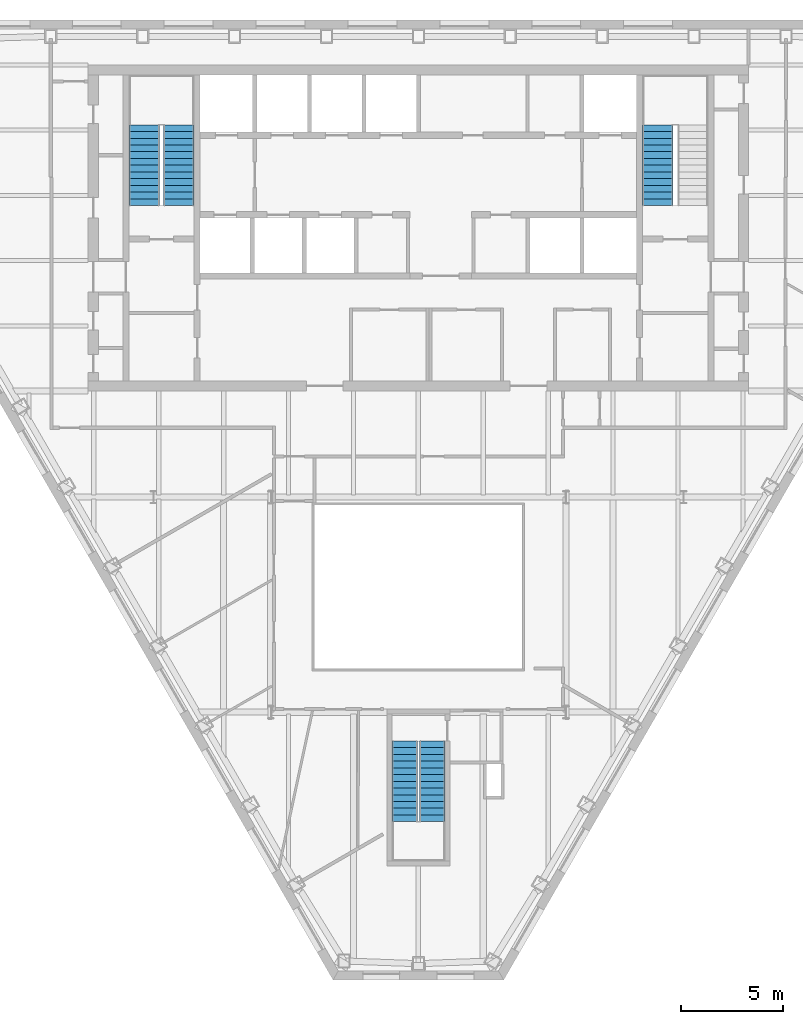
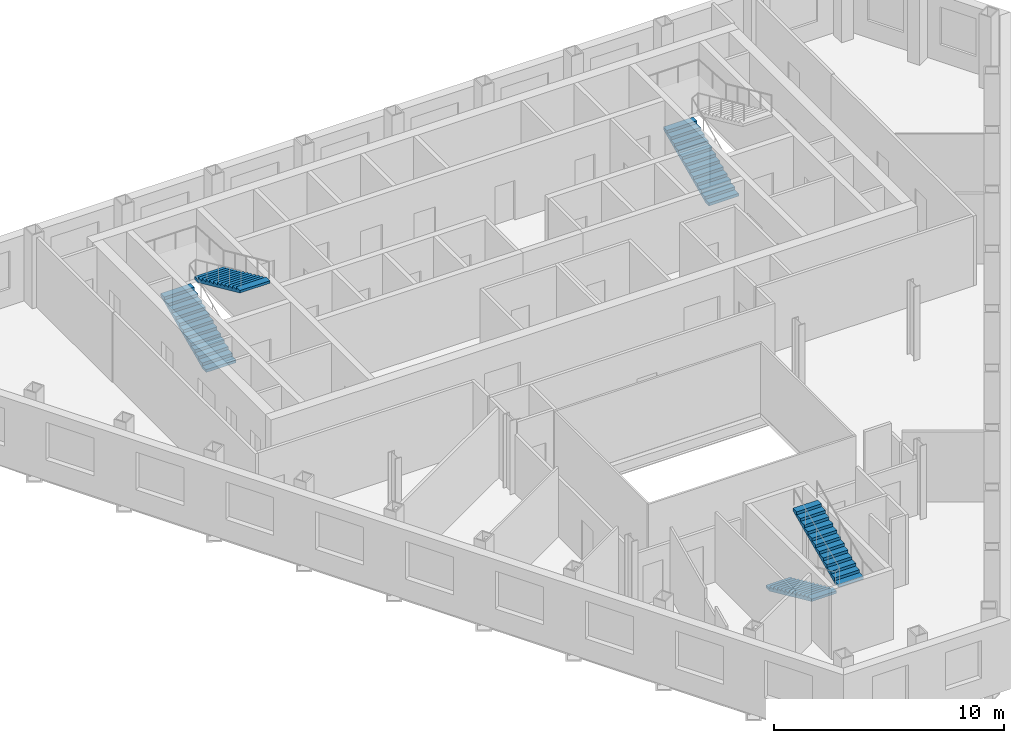
# One storey, part 9 of 11: 5 stair flights, 3 elements without a shape of their own.
"""IFC4 building model written with IfcOpenShell, lengths in metres."""

import ifcopenshell
import ifcopenshell.guid

model = None  # the IFC model being written
_history = None  # IfcOwnerHistory: only IFC2X3 demands one
_inside = {}  # id of a spatial element -> (the spatial element, [elements in it])
_under = {}  # id of a project, library or spatial element -> (it, [spatial elements below it])
_declared = {}  # id of a project -> (the project, [libraries it declares])
_typed = {}  # id of a type object -> (the type object, [elements of that type])
_made_of = {}  # id of a material, layer set ... -> (it, [elements and type objects made of it])


def new_model(schema):
    """Start an empty IFC model of exactly this schema.

    Asked for "IFC4X3", IfcOpenShell would pick the latest addendum, in which some entities
    have other attributes; the version numbers below select the first issue.
    IFC2X3 requires an IfcOwnerHistory on every rooted entity: one is made here for all.
    """
    global model, _history
    if schema == "IFC4X3":
        model = ifcopenshell.file(schema_version=(4, 3, 0, 0))
    else:
        model = ifcopenshell.file(schema=schema)
    _inside.clear()
    _under.clear()
    _declared.clear()
    _typed.clear()
    _made_of.clear()
    _history = None
    if model.schema == "IFC2X3":
        org = make("IfcOrganization", Name="unknown")
        user = make(
            "IfcPersonAndOrganization",
            ThePerson=make("IfcPerson", FamilyName="unknown"),
            TheOrganization=org,
        )
        app = make(
            "IfcApplication",
            ApplicationDeveloper=org,
            Version="unknown",
            ApplicationFullName="unknown",
            ApplicationIdentifier="unknown",
        )
        _history = make(
            "IfcOwnerHistory",
            OwningUser=user,
            OwningApplication=app,
            ChangeAction="ADDED",
            CreationDate=0,
        )
    return model


def make(cls, **values):
    """One entity of the class cls with the attributes given. An attribute that is None is left unset."""
    return model.create_entity(
        cls, **{name: value for name, value in values.items() if value is not None}
    )


def rooted(cls, **values):
    """An entity with a GlobalId (a new one), such as an element, a storey or a relation."""
    return make(cls, GlobalId=ifcopenshell.guid.new(), OwnerHistory=_history, **values)


def si_unit(unit_type, name, prefix=None):
    """IfcSIUnit, for example si_unit("LENGTHUNIT", "METRE", prefix="MILLI")."""
    return make("IfcSIUnit", UnitType=unit_type, Prefix=prefix, Name=name)


def assignment(units):
    """IfcUnitAssignment: the units of a project."""
    return None if units is None else make("IfcUnitAssignment", Units=units)


def point(xyz):
    """IfcCartesianPoint."""
    return None if xyz is None else make("IfcCartesianPoint", Coordinates=xyz)


def direction(xyz):
    """IfcDirection."""
    return None if xyz is None else make("IfcDirection", DirectionRatios=xyz)


def frame(location, z_axis=None, x_axis=None):
    """IfcAxis2Placement3D, a coordinate frame: its origin and axes. An axis left out is left unset."""
    return make(
        "IfcAxis2Placement3D",
        Location=point(location),
        Axis=direction(z_axis),
        RefDirection=direction(x_axis),
    )


def origin():
    """The frame at (0, 0, 0) with its axes left unset."""
    return frame((0.0, 0.0, 0.0))


def place(relative_to, where):
    """IfcLocalPlacement: puts the frame where relative to a parent placement (None: the world)."""
    return make(
        "IfcLocalPlacement", PlacementRelTo=relative_to, RelativePlacement=where
    )


def context(
    kind, dimensions, precision=None, world=None, true_north=None, identifier=None
):
    """IfcGeometricRepresentationContext, for example the 3D "Model" context."""
    return make(
        "IfcGeometricRepresentationContext",
        ContextIdentifier=identifier,
        ContextType=kind,
        CoordinateSpaceDimension=dimensions,
        Precision=precision,
        WorldCoordinateSystem=world,
        TrueNorth=true_north,
    )


def subcontext(parent, identifier, kind, view, scale=None):
    """IfcGeometricRepresentationSubContext, for example "Body" below "Model"."""
    return make(
        "IfcGeometricRepresentationSubContext",
        ContextIdentifier=identifier,
        ContextType=kind,
        ParentContext=parent,
        TargetScale=scale,
        TargetView=view,
    )


def project(units=None, contexts=None):
    """IfcProject with its units and contexts."""
    return rooted(
        "IfcProject",
        Name="project",
        RepresentationContexts=contexts,
        UnitsInContext=assignment(units),
    )


def spatial(cls, under=None, at=None, **own):
    """A site, building, storey or space (cls), placed at a placement, below another one or the project."""
    s = rooted(cls, ObjectPlacement=at, **own)
    if under is not None:
        _under.setdefault(under.id(), (under, []))[1].append(s)
    return s


def point_list(points):
    """IfcCartesianPointList2D or 3D."""
    cls = (
        "IfcCartesianPointList2D" if len(points[0]) == 2 else "IfcCartesianPointList3D"
    )
    return make(cls, CoordList=points)


def polygons(points, faces, closed=None, point_numbers=None):
    """IfcPolygonalFaceSet: a face is its outer loop, then its inner loops; points numbered from 1."""
    made = []
    for loops in faces:
        if len(loops) == 1:
            made.append(make("IfcIndexedPolygonalFace", CoordIndex=loops[0]))
        else:
            made.append(
                make(
                    "IfcIndexedPolygonalFaceWithVoids",
                    CoordIndex=loops[0],
                    InnerCoordIndices=loops[1:],
                )
            )
    return make(
        "IfcPolygonalFaceSet",
        Coordinates=point_list(points),
        Closed=closed,
        Faces=made,
        PnIndex=point_numbers,
    )


def shape(context_of_items, identifier, shape_type, items):
    """IfcShapeRepresentation: the items that make up one representation, for example the "Body"."""
    return make(
        "IfcShapeRepresentation",
        ContextOfItems=context_of_items,
        RepresentationIdentifier=identifier,
        RepresentationType=shape_type,
        Items=items,
    )


def material(Name=None, Category=None):
    """IfcMaterial."""
    return make("IfcMaterial", Name=Name, Category=Category)


def made_of(thing, what):
    """Note that an element or type object is made of a material, layer set ...; save() writes the relation."""
    if what is not None:
        _made_of.setdefault(what.id(), (what, []))[1].append(thing)
    return thing


def type_object(cls, material=None, **own):
    """A type object (cls), such as IfcWallType, which elements share."""
    return made_of(rooted(cls, **own), material)


def element(
    cls,
    number,
    at=None,
    inside=None,
    cuts=None,
    type_object=None,
    material=None,
    context=None,
    identifier="Body",
    shape_type=None,
    held_by="IfcProductDefinitionShape",
    body=None,
    shapes=None,
    **own,
):
    """One element of the class cls, such as IfcWall. Its Tag is "e" and its number.

    at: its placement. inside: the storey or other place that contains it. cuts: it is an
    opening in that element (IfcRelVoidsElement). A single representation is given by context,
    identifier, shape_type and body (its items); several are given by shapes. held_by: the class
    of the entity that holds the representations. save() writes the other relations.
    """
    e = rooted(cls, Tag="e%d" % number, ObjectPlacement=at, **own)
    if body is not None:
        shapes = [shape(context, identifier, shape_type, body)]
    if shapes is not None:
        e.Representation = make(held_by, Representations=shapes)
    if inside is not None:
        _inside.setdefault(inside.id(), (inside, []))[1].append(e)
    if cuts is not None:
        rooted(
            "IfcRelVoidsElement", RelatingBuildingElement=cuts, RelatedOpeningElement=e
        )
    if type_object is not None:
        _typed.setdefault(type_object.id(), (type_object, []))[1].append(e)
    return made_of(e, material)


def aggregate(whole, parts):
    """IfcRelAggregates: a whole, such as a stair, and the parts it consists of."""
    return rooted("IfcRelAggregates", RelatingObject=whole, RelatedObjects=parts)


def save(model, path):
    """Write the relations noted so far, then the file.

    IfcRelAggregates (storeys below a building ...), IfcRelContainedInSpatialStructure (elements
    in a storey), IfcRelDefinesByType, IfcRelAssociatesMaterial and IfcRelDeclares: one each for
    every whole, place, type object, material and project.
    """
    for whole, parts in _under.values():
        aggregate(whole, parts)
    for where, things in _inside.values():
        rooted(
            "IfcRelContainedInSpatialStructure",
            RelatedElements=things,
            RelatingStructure=where,
        )
    for kind, things in _typed.values():
        rooted("IfcRelDefinesByType", RelatedObjects=things, RelatingType=kind)
    for what, things in _made_of.values():
        rooted("IfcRelAssociatesMaterial", RelatedObjects=things, RelatingMaterial=what)
    for by, libraries in _declared.values():
        rooted("IfcRelDeclares", RelatingContext=by, RelatedDefinitions=libraries)
    model.write(path)


model = new_model("IFC4")

# Units and contexts
model_context = context("Model", 3, precision=1e-05, world=origin(), true_north=direction((0.0, 1.0)))
body_context = subcontext(model_context, "Body", "Model", "MODEL_VIEW")
ifc_project = project(units=[si_unit("LENGTHUNIT", "METRE"), si_unit("AREAUNIT", "SQUARE_METRE"), si_unit("VOLUMEUNIT", "CUBIC_METRE"), si_unit("PLANEANGLEUNIT", "RADIAN"), si_unit("MASSUNIT", "GRAM", prefix="KILO")], contexts=[model_context])

# Site, building, storey
site_placement = place(None, origin())
site = spatial("IfcSite", under=ifc_project, at=site_placement, CompositionType="ELEMENT")
building_placement = place(site_placement, origin())
building = spatial("IfcBuilding", under=site, at=building_placement, Name="Njiva Tower", CompositionType="ELEMENT")
storey_placement = place(building_placement, frame((0.0, 0.0, 163.2)))
storey = spatial("IfcBuildingStorey", under=building, at=storey_placement, Name="L35", CompositionType="ELEMENT", Elevation=163.2)

# Stair, stair flights
ifc_material = material(Name="Concrete C40/50", Category="concrete")
stair_type_1 = type_object("IfcStairType", Name="ST1 Exit stair 1250", PredefinedType="HALF_TURN_STAIR", material=ifc_material)
stair_1_placement = place(storey_placement, origin())
stair_1 = element("IfcStair", 1, at=stair_1_placement, inside=storey, type_object=stair_type_1, Name="Stair C", PredefinedType="HALF_TURN_STAIR")
stair_flight_type_1 = type_object("IfcStairFlightType", Name="FL1 Stair flight 1250", PredefinedType="STRAIGHT", material=ifc_material)
stair_flight_1_placement = place(storey_placement, frame((-0.675, -15.16, 0.0), z_axis=(0.0, 0.0, 1.0), x_axis=(0.0, -1.0, 0.0)))
stair_flight_1 = element("IfcStairFlight", 2, at=stair_flight_1_placement, type_object=stair_flight_type_1, Name="ST-C flight 1", NumberOfRisers=13, NumberOfTreads=12, PredefinedType="STRAIGHT", RiserHeight=0.15, TreadLength=0.33, context=body_context, shape_type="Tessellation", body=[
    polygons([(0.0, 0.625, 0.0), (0.0, 0.3125, 0.0), (0.0, 0.0, 0.0), (0.0, -0.3125, 0.0), (0.0, -0.625, 0.0), (0.0, 0.625, 0.15), (0.0, 0.3125, 0.15), (0.0, 0.0, 0.15), (0.0, -0.3125, 0.15), (0.0, -0.625, 0.15), (0.33, 0.625, 0.15), (0.33, 0.3125, 0.15), (0.33, 0.0, 0.15), (0.33, -0.3125, 0.15), (0.33, -0.625, 0.15), (0.33, 0.625, 0.3), (0.33, 0.3125, 0.3), (0.33, 0.0, 0.3), (0.33, -0.3125, 0.3), (0.33, -0.625, 0.3), (0.66, 0.625, 0.3), (0.66, 0.3125, 0.3), (0.66, 0.0, 0.3), (0.66, -0.3125, 0.3), (0.66, -0.625, 0.3), (0.66, 0.625, 0.45), (0.66, 0.3125, 0.45), (0.66, 0.0, 0.45), (0.66, -0.3125, 0.45), (0.66, -0.625, 0.45), (0.99, 0.625, 0.45), (0.99, 0.3125, 0.45), (0.99, 0.0, 0.45), (0.99, -0.3125, 0.45), (0.99, -0.625, 0.45), (0.99, 0.625, 0.6), (0.99, 0.3125, 0.6), (0.99, 0.0, 0.6), (0.99, -0.3125, 0.6), (0.99, -0.625, 0.6), (1.32, 0.625, 0.6), (1.32, 0.3125, 0.6), (1.32, 0.0, 0.6), (1.32, -0.3125, 0.6), (1.32, -0.625, 0.6), (1.32, 0.625, 0.75), (1.32, 0.3125, 0.75), (1.32, 0.0, 0.75), (1.32, -0.3125, 0.75), (1.32, -0.625, 0.75), (1.65, 0.625, 0.75), (1.65, 0.3125, 0.75), (1.65, 0.0, 0.75), (1.65, -0.3125, 0.75), (1.65, -0.625, 0.75), (1.65, 0.625, 0.9), (1.65, 0.3125, 0.9), (1.65, 0.0, 0.9), (1.65, -0.3125, 0.9), (1.65, -0.625, 0.9), (1.98, 0.625, 0.9), (1.98, 0.3125, 0.9), (1.98, 0.0, 0.9), (1.98, -0.3125, 0.9), (1.98, -0.625, 0.9), (1.98, 0.625, 1.05), (1.98, 0.3125, 1.05), (1.98, 0.0, 1.05), (1.98, -0.3125, 1.05), (1.98, -0.625, 1.05), (2.31, 0.625, 1.05), (2.31, 0.3125, 1.05), (2.31, 0.0, 1.05), (2.31, -0.3125, 1.05), (2.31, -0.625, 1.05), (2.31, 0.625, 1.2), (2.31, 0.3125, 1.2), (2.31, 0.0, 1.2), (2.31, -0.3125, 1.2), (2.31, -0.625, 1.2), (2.64, 0.625, 1.2), (2.64, 0.3125, 1.2), (2.64, 0.0, 1.2), (2.64, -0.3125, 1.2), (2.64, -0.625, 1.2), (2.64, 0.625, 1.35), (2.64, 0.3125, 1.35), (2.64, 0.0, 1.35), (2.64, -0.3125, 1.35), (2.64, -0.625, 1.35), (2.97, 0.625, 1.35), (2.97, 0.3125, 1.35), (2.97, 0.0, 1.35), (2.97, -0.3125, 1.35), (2.97, -0.625, 1.35), (2.97, 0.625, 1.5), (2.97, 0.3125, 1.5), (2.97, 0.0, 1.5), (2.97, -0.3125, 1.5), (2.97, -0.625, 1.5), (3.3, 0.625, 1.5), (3.3, 0.3125, 1.5), (3.3, 0.0, 1.5), (3.3, -0.3125, 1.5), (3.3, -0.625, 1.5), (3.3, 0.625, 1.65), (3.3, 0.3125, 1.65), (3.3, 0.0, 1.65), (3.3, -0.3125, 1.65), (3.3, -0.625, 1.65), (3.63, 0.625, 1.65), (3.63, 0.3125, 1.65), (3.63, 0.0, 1.65), (3.63, -0.3125, 1.65), (3.63, -0.625, 1.65), (3.63, 0.625, 1.8), (3.63, 0.3125, 1.8), (3.63, 0.0, 1.8), (3.63, -0.3125, 1.8), (3.63, -0.625, 1.8), (3.96, 0.625, 1.8), (3.96, 0.3125, 1.8), (3.96, 0.0, 1.8), (3.96, -0.3125, 1.8), (3.96, -0.625, 1.8), (3.96, 0.625, 1.6682), (3.96, 0.3125, 1.6682), (3.96, 0.0, 1.6682), (3.96, -0.3125, 1.6682), (3.96, -0.625, 1.6682), (0.29, 0.625, 0.0), (0.29, 0.3125, 0.0), (0.29, 0.0, 0.0), (0.29, -0.3125, 0.0), (0.29, -0.625, 0.0)], [[[1, 6, 11, 16, 21, 26, 31, 36, 41, 46, 51, 56, 61, 66, 71, 76, 81, 86, 91, 96, 101, 106, 111, 116, 121, 126, 131]], [[135, 130, 125, 120, 115, 110, 105, 100, 95, 90, 85, 80, 75, 70, 65, 60, 55, 50, 45, 40, 35, 30, 25, 20, 15, 10, 5]], [[6, 1, 2, 7]], [[7, 2, 3, 8]], [[8, 3, 4, 9]], [[9, 4, 5, 10]], [[11, 6, 7, 12]], [[12, 7, 8, 13]], [[13, 8, 9, 14]], [[14, 9, 10, 15]], [[16, 11, 12, 17]], [[17, 12, 13, 18]], [[18, 13, 14, 19]], [[19, 14, 15, 20]], [[21, 16, 17, 22]], [[22, 17, 18, 23]], [[23, 18, 19, 24]], [[24, 19, 20, 25]], [[26, 21, 22, 27]], [[27, 22, 23, 28]], [[28, 23, 24, 29]], [[29, 24, 25, 30]], [[31, 26, 27, 32]], [[32, 27, 28, 33]], [[33, 28, 29, 34]], [[34, 29, 30, 35]], [[36, 31, 32, 37]], [[37, 32, 33, 38]], [[38, 33, 34, 39]], [[39, 34, 35, 40]], [[41, 36, 37, 42]], [[42, 37, 38, 43]], [[43, 38, 39, 44]], [[44, 39, 40, 45]], [[46, 41, 42, 47]], [[47, 42, 43, 48]], [[48, 43, 44, 49]], [[49, 44, 45, 50]], [[51, 46, 47, 52]], [[52, 47, 48, 53]], [[53, 48, 49, 54]], [[54, 49, 50, 55]], [[56, 51, 52, 57]], [[57, 52, 53, 58]], [[58, 53, 54, 59]], [[59, 54, 55, 60]], [[61, 56, 57, 62]], [[62, 57, 58, 63]], [[63, 58, 59, 64]], [[64, 59, 60, 65]], [[66, 61, 62, 67]], [[67, 62, 63, 68]], [[68, 63, 64, 69]], [[69, 64, 65, 70]], [[71, 66, 67, 72]], [[72, 67, 68, 73]], [[73, 68, 69, 74]], [[74, 69, 70, 75]], [[76, 71, 72, 77]], [[77, 72, 73, 78]], [[78, 73, 74, 79]], [[79, 74, 75, 80]], [[81, 76, 77, 82]], [[82, 77, 78, 83]], [[83, 78, 79, 84]], [[84, 79, 80, 85]], [[86, 81, 82, 87]], [[87, 82, 83, 88]], [[88, 83, 84, 89]], [[89, 84, 85, 90]], [[91, 86, 87, 92]], [[92, 87, 88, 93]], [[93, 88, 89, 94]], [[94, 89, 90, 95]], [[96, 91, 92, 97]], [[97, 92, 93, 98]], [[98, 93, 94, 99]], [[99, 94, 95, 100]], [[101, 96, 97, 102]], [[102, 97, 98, 103]], [[103, 98, 99, 104]], [[104, 99, 100, 105]], [[106, 101, 102, 107]], [[107, 102, 103, 108]], [[108, 103, 104, 109]], [[109, 104, 105, 110]], [[111, 106, 107, 112]], [[112, 107, 108, 113]], [[113, 108, 109, 114]], [[114, 109, 110, 115]], [[116, 111, 112, 117]], [[117, 112, 113, 118]], [[118, 113, 114, 119]], [[119, 114, 115, 120]], [[121, 116, 117, 122]], [[122, 117, 118, 123]], [[123, 118, 119, 124]], [[124, 119, 120, 125]], [[126, 121, 122, 127]], [[127, 122, 123, 128]], [[128, 123, 124, 129]], [[129, 124, 125, 130]], [[131, 126, 127, 132]], [[132, 127, 128, 133]], [[133, 128, 129, 134]], [[134, 129, 130, 135]], [[1, 131, 132, 2]], [[2, 132, 133, 3]], [[3, 133, 134, 4]], [[4, 134, 135, 5]]], closed=True),
])
stair_flight_2_placement = place(storey_placement, frame((0.675, -19.12, 1.95), z_axis=(0.0, 0.0, 1.0), x_axis=(0.0, 1.0, 0.0)))
stair_flight_2 = element("IfcStairFlight", 3, at=stair_flight_2_placement, type_object=stair_flight_type_1, Name="ST-C flight 2", NumberOfRisers=13, NumberOfTreads=12, PredefinedType="STRAIGHT", RiserHeight=0.15, TreadLength=0.33, context=body_context, shape_type="Tessellation", body=[
    polygons([(0.0, 0.625, 0.0), (0.0, 0.3125, 0.0), (0.0, 0.0, 0.0), (0.0, -0.3125, 0.0), (0.0, -0.625, 0.0), (0.0, 0.625, 0.15), (0.0, 0.3125, 0.15), (0.0, 0.0, 0.15), (0.0, -0.3125, 0.15), (0.0, -0.625, 0.15), (0.33, 0.625, 0.15), (0.33, 0.3125, 0.15), (0.33, 0.0, 0.15), (0.33, -0.3125, 0.15), (0.33, -0.625, 0.15), (0.33, 0.625, 0.3), (0.33, 0.3125, 0.3), (0.33, 0.0, 0.3), (0.33, -0.3125, 0.3), (0.33, -0.625, 0.3), (0.66, 0.625, 0.3), (0.66, 0.3125, 0.3), (0.66, 0.0, 0.3), (0.66, -0.3125, 0.3), (0.66, -0.625, 0.3), (0.66, 0.625, 0.45), (0.66, 0.3125, 0.45), (0.66, 0.0, 0.45), (0.66, -0.3125, 0.45), (0.66, -0.625, 0.45), (0.99, 0.625, 0.45), (0.99, 0.3125, 0.45), (0.99, 0.0, 0.45), (0.99, -0.3125, 0.45), (0.99, -0.625, 0.45), (0.99, 0.625, 0.6), (0.99, 0.3125, 0.6), (0.99, 0.0, 0.6), (0.99, -0.3125, 0.6), (0.99, -0.625, 0.6), (1.32, 0.625, 0.6), (1.32, 0.3125, 0.6), (1.32, 0.0, 0.6), (1.32, -0.3125, 0.6), (1.32, -0.625, 0.6), (1.32, 0.625, 0.75), (1.32, 0.3125, 0.75), (1.32, 0.0, 0.75), (1.32, -0.3125, 0.75), (1.32, -0.625, 0.75), (1.65, 0.625, 0.75), (1.65, 0.3125, 0.75), (1.65, 0.0, 0.75), (1.65, -0.3125, 0.75), (1.65, -0.625, 0.75), (1.65, 0.625, 0.9), (1.65, 0.3125, 0.9), (1.65, 0.0, 0.9), (1.65, -0.3125, 0.9), (1.65, -0.625, 0.9), (1.98, 0.625, 0.9), (1.98, 0.3125, 0.9), (1.98, 0.0, 0.9), (1.98, -0.3125, 0.9), (1.98, -0.625, 0.9), (1.98, 0.625, 1.05), (1.98, 0.3125, 1.05), (1.98, 0.0, 1.05), (1.98, -0.3125, 1.05), (1.98, -0.625, 1.05), (2.31, 0.625, 1.05), (2.31, 0.3125, 1.05), (2.31, 0.0, 1.05), (2.31, -0.3125, 1.05), (2.31, -0.625, 1.05), (2.31, 0.625, 1.2), (2.31, 0.3125, 1.2), (2.31, 0.0, 1.2), (2.31, -0.3125, 1.2), (2.31, -0.625, 1.2), (2.64, 0.625, 1.2), (2.64, 0.3125, 1.2), (2.64, 0.0, 1.2), (2.64, -0.3125, 1.2), (2.64, -0.625, 1.2), (2.64, 0.625, 1.35), (2.64, 0.3125, 1.35), (2.64, 0.0, 1.35), (2.64, -0.3125, 1.35), (2.64, -0.625, 1.35), (2.97, 0.625, 1.35), (2.97, 0.3125, 1.35), (2.97, 0.0, 1.35), (2.97, -0.3125, 1.35), (2.97, -0.625, 1.35), (2.97, 0.625, 1.5), (2.97, 0.3125, 1.5), (2.97, 0.0, 1.5), (2.97, -0.3125, 1.5), (2.97, -0.625, 1.5), (3.3, 0.625, 1.5), (3.3, 0.3125, 1.5), (3.3, 0.0, 1.5), (3.3, -0.3125, 1.5), (3.3, -0.625, 1.5), (3.3, 0.625, 1.65), (3.3, 0.3125, 1.65), (3.3, 0.0, 1.65), (3.3, -0.3125, 1.65), (3.3, -0.625, 1.65), (3.63, 0.625, 1.65), (3.63, 0.3125, 1.65), (3.63, 0.0, 1.65), (3.63, -0.3125, 1.65), (3.63, -0.625, 1.65), (3.63, 0.625, 1.8), (3.63, 0.3125, 1.8), (3.63, 0.0, 1.8), (3.63, -0.3125, 1.8), (3.63, -0.625, 1.8), (3.96, 0.625, 1.8), (3.96, 0.3125, 1.8), (3.96, 0.0, 1.8), (3.96, -0.3125, 1.8), (3.96, -0.625, 1.8), (3.96, 0.625, 1.6682), (3.96, 0.3125, 1.6682), (3.96, 0.0, 1.6682), (3.96, -0.3125, 1.6682), (3.96, -0.625, 1.6682), (0.29, 0.625, 0.0), (0.29, 0.3125, 0.0), (0.29, 0.0, 0.0), (0.29, -0.3125, 0.0), (0.29, -0.625, 0.0)], [[[1, 6, 11, 16, 21, 26, 31, 36, 41, 46, 51, 56, 61, 66, 71, 76, 81, 86, 91, 96, 101, 106, 111, 116, 121, 126, 131]], [[135, 130, 125, 120, 115, 110, 105, 100, 95, 90, 85, 80, 75, 70, 65, 60, 55, 50, 45, 40, 35, 30, 25, 20, 15, 10, 5]], [[6, 1, 2, 7]], [[7, 2, 3, 8]], [[8, 3, 4, 9]], [[9, 4, 5, 10]], [[11, 6, 7, 12]], [[12, 7, 8, 13]], [[13, 8, 9, 14]], [[14, 9, 10, 15]], [[16, 11, 12, 17]], [[17, 12, 13, 18]], [[18, 13, 14, 19]], [[19, 14, 15, 20]], [[21, 16, 17, 22]], [[22, 17, 18, 23]], [[23, 18, 19, 24]], [[24, 19, 20, 25]], [[26, 21, 22, 27]], [[27, 22, 23, 28]], [[28, 23, 24, 29]], [[29, 24, 25, 30]], [[31, 26, 27, 32]], [[32, 27, 28, 33]], [[33, 28, 29, 34]], [[34, 29, 30, 35]], [[36, 31, 32, 37]], [[37, 32, 33, 38]], [[38, 33, 34, 39]], [[39, 34, 35, 40]], [[41, 36, 37, 42]], [[42, 37, 38, 43]], [[43, 38, 39, 44]], [[44, 39, 40, 45]], [[46, 41, 42, 47]], [[47, 42, 43, 48]], [[48, 43, 44, 49]], [[49, 44, 45, 50]], [[51, 46, 47, 52]], [[52, 47, 48, 53]], [[53, 48, 49, 54]], [[54, 49, 50, 55]], [[56, 51, 52, 57]], [[57, 52, 53, 58]], [[58, 53, 54, 59]], [[59, 54, 55, 60]], [[61, 56, 57, 62]], [[62, 57, 58, 63]], [[63, 58, 59, 64]], [[64, 59, 60, 65]], [[66, 61, 62, 67]], [[67, 62, 63, 68]], [[68, 63, 64, 69]], [[69, 64, 65, 70]], [[71, 66, 67, 72]], [[72, 67, 68, 73]], [[73, 68, 69, 74]], [[74, 69, 70, 75]], [[76, 71, 72, 77]], [[77, 72, 73, 78]], [[78, 73, 74, 79]], [[79, 74, 75, 80]], [[81, 76, 77, 82]], [[82, 77, 78, 83]], [[83, 78, 79, 84]], [[84, 79, 80, 85]], [[86, 81, 82, 87]], [[87, 82, 83, 88]], [[88, 83, 84, 89]], [[89, 84, 85, 90]], [[91, 86, 87, 92]], [[92, 87, 88, 93]], [[93, 88, 89, 94]], [[94, 89, 90, 95]], [[96, 91, 92, 97]], [[97, 92, 93, 98]], [[98, 93, 94, 99]], [[99, 94, 95, 100]], [[101, 96, 97, 102]], [[102, 97, 98, 103]], [[103, 98, 99, 104]], [[104, 99, 100, 105]], [[106, 101, 102, 107]], [[107, 102, 103, 108]], [[108, 103, 104, 109]], [[109, 104, 105, 110]], [[111, 106, 107, 112]], [[112, 107, 108, 113]], [[113, 108, 109, 114]], [[114, 109, 110, 115]], [[116, 111, 112, 117]], [[117, 112, 113, 118]], [[118, 113, 114, 119]], [[119, 114, 115, 120]], [[121, 116, 117, 122]], [[122, 117, 118, 123]], [[123, 118, 119, 124]], [[124, 119, 120, 125]], [[126, 121, 122, 127]], [[127, 122, 123, 128]], [[128, 123, 124, 129]], [[129, 124, 125, 130]], [[131, 126, 127, 132]], [[132, 127, 128, 133]], [[133, 128, 129, 134]], [[134, 129, 130, 135]], [[1, 131, 132, 2]], [[2, 132, 133, 3]], [[3, 133, 134, 4]], [[4, 134, 135, 5]]], closed=True),
])
aggregate(stair_1, [stair_flight_1, stair_flight_2])

stair_type_2 = type_object("IfcStairType", Name="ST4 Exit stair 1500", PredefinedType="HALF_TURN_STAIR", material=ifc_material)
stair_2_placement = place(storey_placement, origin())
stair_2 = element("IfcStair", 4, at=stair_2_placement, inside=storey, type_object=stair_type_2, Name="Stair A", PredefinedType="HALF_TURN_STAIR")
stair_flight_type_2 = type_object("IfcStairFlightType", Name="FL4 Stair flight 1500", PredefinedType="STRAIGHT", material=ifc_material)
stair_flight_3_placement = place(storey_placement, frame((-13.45, 11.1, 0.0), z_axis=(0.0, 0.0, 1.0), x_axis=(0.0, 1.0, 0.0)))
stair_flight_3 = element("IfcStairFlight", 5, at=stair_flight_3_placement, type_object=stair_flight_type_2, Name="ST-A flight 1", NumberOfRisers=13, NumberOfTreads=12, PredefinedType="STRAIGHT", RiserHeight=0.15, TreadLength=0.33, context=body_context, shape_type="Tessellation", body=[
    polygons([(0.0, 0.75, 0.0), (0.0, 0.375, 0.0), (0.0, 0.0, 0.0), (0.0, -0.375, 0.0), (0.0, -0.75, 0.0), (0.0, 0.75, 0.15), (0.0, 0.375, 0.15), (0.0, 0.0, 0.15), (0.0, -0.375, 0.15), (0.0, -0.75, 0.15), (0.33, 0.75, 0.15), (0.33, 0.375, 0.15), (0.33, 0.0, 0.15), (0.33, -0.375, 0.15), (0.33, -0.75, 0.15), (0.33, 0.75, 0.3), (0.33, 0.375, 0.3), (0.33, 0.0, 0.3), (0.33, -0.375, 0.3), (0.33, -0.75, 0.3), (0.66, 0.75, 0.3), (0.66, 0.375, 0.3), (0.66, 0.0, 0.3), (0.66, -0.375, 0.3), (0.66, -0.75, 0.3), (0.66, 0.75, 0.45), (0.66, 0.375, 0.45), (0.66, 0.0, 0.45), (0.66, -0.375, 0.45), (0.66, -0.75, 0.45), (0.99, 0.75, 0.45), (0.99, 0.375, 0.45), (0.99, 0.0, 0.45), (0.99, -0.375, 0.45), (0.99, -0.75, 0.45), (0.99, 0.75, 0.6), (0.99, 0.375, 0.6), (0.99, 0.0, 0.6), (0.99, -0.375, 0.6), (0.99, -0.75, 0.6), (1.32, 0.75, 0.6), (1.32, 0.375, 0.6), (1.32, 0.0, 0.6), (1.32, -0.375, 0.6), (1.32, -0.75, 0.6), (1.32, 0.75, 0.75), (1.32, 0.375, 0.75), (1.32, 0.0, 0.75), (1.32, -0.375, 0.75), (1.32, -0.75, 0.75), (1.65, 0.75, 0.75), (1.65, 0.375, 0.75), (1.65, 0.0, 0.75), (1.65, -0.375, 0.75), (1.65, -0.75, 0.75), (1.65, 0.75, 0.9), (1.65, 0.375, 0.9), (1.65, 0.0, 0.9), (1.65, -0.375, 0.9), (1.65, -0.75, 0.9), (1.98, 0.75, 0.9), (1.98, 0.375, 0.9), (1.98, 0.0, 0.9), (1.98, -0.375, 0.9), (1.98, -0.75, 0.9), (1.98, 0.75, 1.05), (1.98, 0.375, 1.05), (1.98, 0.0, 1.05), (1.98, -0.375, 1.05), (1.98, -0.75, 1.05), (2.31, 0.75, 1.05), (2.31, 0.375, 1.05), (2.31, 0.0, 1.05), (2.31, -0.375, 1.05), (2.31, -0.75, 1.05), (2.31, 0.75, 1.2), (2.31, 0.375, 1.2), (2.31, 0.0, 1.2), (2.31, -0.375, 1.2), (2.31, -0.75, 1.2), (2.64, 0.75, 1.2), (2.64, 0.375, 1.2), (2.64, 0.0, 1.2), (2.64, -0.375, 1.2), (2.64, -0.75, 1.2), (2.64, 0.75, 1.35), (2.64, 0.375, 1.35), (2.64, 0.0, 1.35), (2.64, -0.375, 1.35), (2.64, -0.75, 1.35), (2.97, 0.75, 1.35), (2.97, 0.375, 1.35), (2.97, 0.0, 1.35), (2.97, -0.375, 1.35), (2.97, -0.75, 1.35), (2.97, 0.75, 1.5), (2.97, 0.375, 1.5), (2.97, 0.0, 1.5), (2.97, -0.375, 1.5), (2.97, -0.75, 1.5), (3.3, 0.75, 1.5), (3.3, 0.375, 1.5), (3.3, 0.0, 1.5), (3.3, -0.375, 1.5), (3.3, -0.75, 1.5), (3.3, 0.75, 1.65), (3.3, 0.375, 1.65), (3.3, 0.0, 1.65), (3.3, -0.375, 1.65), (3.3, -0.75, 1.65), (3.63, 0.75, 1.65), (3.63, 0.375, 1.65), (3.63, 0.0, 1.65), (3.63, -0.375, 1.65), (3.63, -0.75, 1.65), (3.63, 0.75, 1.8), (3.63, 0.375, 1.8), (3.63, 0.0, 1.8), (3.63, -0.375, 1.8), (3.63, -0.75, 1.8), (3.96, 0.75, 1.8), (3.96, 0.375, 1.8), (3.96, 0.0, 1.8), (3.96, -0.375, 1.8), (3.96, -0.75, 1.8), (3.96, 0.75, 1.6682), (3.96, 0.375, 1.6682), (3.96, 0.0, 1.6682), (3.96, -0.375, 1.6682), (3.96, -0.75, 1.6682), (0.29, 0.75, 0.0), (0.29, 0.375, 0.0), (0.29, 0.0, 0.0), (0.29, -0.375, 0.0), (0.29, -0.75, 0.0)], [[[1, 6, 11, 16, 21, 26, 31, 36, 41, 46, 51, 56, 61, 66, 71, 76, 81, 86, 91, 96, 101, 106, 111, 116, 121, 126, 131]], [[135, 130, 125, 120, 115, 110, 105, 100, 95, 90, 85, 80, 75, 70, 65, 60, 55, 50, 45, 40, 35, 30, 25, 20, 15, 10, 5]], [[6, 1, 2, 7]], [[7, 2, 3, 8]], [[8, 3, 4, 9]], [[9, 4, 5, 10]], [[11, 6, 7, 12]], [[12, 7, 8, 13]], [[13, 8, 9, 14]], [[14, 9, 10, 15]], [[16, 11, 12, 17]], [[17, 12, 13, 18]], [[18, 13, 14, 19]], [[19, 14, 15, 20]], [[21, 16, 17, 22]], [[22, 17, 18, 23]], [[23, 18, 19, 24]], [[24, 19, 20, 25]], [[26, 21, 22, 27]], [[27, 22, 23, 28]], [[28, 23, 24, 29]], [[29, 24, 25, 30]], [[31, 26, 27, 32]], [[32, 27, 28, 33]], [[33, 28, 29, 34]], [[34, 29, 30, 35]], [[36, 31, 32, 37]], [[37, 32, 33, 38]], [[38, 33, 34, 39]], [[39, 34, 35, 40]], [[41, 36, 37, 42]], [[42, 37, 38, 43]], [[43, 38, 39, 44]], [[44, 39, 40, 45]], [[46, 41, 42, 47]], [[47, 42, 43, 48]], [[48, 43, 44, 49]], [[49, 44, 45, 50]], [[51, 46, 47, 52]], [[52, 47, 48, 53]], [[53, 48, 49, 54]], [[54, 49, 50, 55]], [[56, 51, 52, 57]], [[57, 52, 53, 58]], [[58, 53, 54, 59]], [[59, 54, 55, 60]], [[61, 56, 57, 62]], [[62, 57, 58, 63]], [[63, 58, 59, 64]], [[64, 59, 60, 65]], [[66, 61, 62, 67]], [[67, 62, 63, 68]], [[68, 63, 64, 69]], [[69, 64, 65, 70]], [[71, 66, 67, 72]], [[72, 67, 68, 73]], [[73, 68, 69, 74]], [[74, 69, 70, 75]], [[76, 71, 72, 77]], [[77, 72, 73, 78]], [[78, 73, 74, 79]], [[79, 74, 75, 80]], [[81, 76, 77, 82]], [[82, 77, 78, 83]], [[83, 78, 79, 84]], [[84, 79, 80, 85]], [[86, 81, 82, 87]], [[87, 82, 83, 88]], [[88, 83, 84, 89]], [[89, 84, 85, 90]], [[91, 86, 87, 92]], [[92, 87, 88, 93]], [[93, 88, 89, 94]], [[94, 89, 90, 95]], [[96, 91, 92, 97]], [[97, 92, 93, 98]], [[98, 93, 94, 99]], [[99, 94, 95, 100]], [[101, 96, 97, 102]], [[102, 97, 98, 103]], [[103, 98, 99, 104]], [[104, 99, 100, 105]], [[106, 101, 102, 107]], [[107, 102, 103, 108]], [[108, 103, 104, 109]], [[109, 104, 105, 110]], [[111, 106, 107, 112]], [[112, 107, 108, 113]], [[113, 108, 109, 114]], [[114, 109, 110, 115]], [[116, 111, 112, 117]], [[117, 112, 113, 118]], [[118, 113, 114, 119]], [[119, 114, 115, 120]], [[121, 116, 117, 122]], [[122, 117, 118, 123]], [[123, 118, 119, 124]], [[124, 119, 120, 125]], [[126, 121, 122, 127]], [[127, 122, 123, 128]], [[128, 123, 124, 129]], [[129, 124, 125, 130]], [[131, 126, 127, 132]], [[132, 127, 128, 133]], [[133, 128, 129, 134]], [[134, 129, 130, 135]], [[1, 131, 132, 2]], [[2, 132, 133, 3]], [[3, 133, 134, 4]], [[4, 134, 135, 5]]], closed=True),
])
stair_flight_4_placement = place(storey_placement, frame((-11.75, 15.06, 1.95), z_axis=(0.0, 0.0, 1.0), x_axis=(0.0, -1.0, 0.0)))
stair_flight_4 = element("IfcStairFlight", 6, at=stair_flight_4_placement, type_object=stair_flight_type_2, Name="ST-A flight 2", NumberOfRisers=13, NumberOfTreads=12, PredefinedType="STRAIGHT", RiserHeight=0.15, TreadLength=0.33, context=body_context, shape_type="Tessellation", body=[
    polygons([(0.0, 0.75, 0.0), (0.0, 0.375, 0.0), (0.0, 0.0, 0.0), (0.0, -0.375, 0.0), (0.0, -0.75, 0.0), (0.0, 0.75, 0.15), (0.0, 0.375, 0.15), (0.0, 0.0, 0.15), (0.0, -0.375, 0.15), (0.0, -0.75, 0.15), (0.33, 0.75, 0.15), (0.33, 0.375, 0.15), (0.33, 0.0, 0.15), (0.33, -0.375, 0.15), (0.33, -0.75, 0.15), (0.33, 0.75, 0.3), (0.33, 0.375, 0.3), (0.33, 0.0, 0.3), (0.33, -0.375, 0.3), (0.33, -0.75, 0.3), (0.66, 0.75, 0.3), (0.66, 0.375, 0.3), (0.66, 0.0, 0.3), (0.66, -0.375, 0.3), (0.66, -0.75, 0.3), (0.66, 0.75, 0.45), (0.66, 0.375, 0.45), (0.66, 0.0, 0.45), (0.66, -0.375, 0.45), (0.66, -0.75, 0.45), (0.99, 0.75, 0.45), (0.99, 0.375, 0.45), (0.99, 0.0, 0.45), (0.99, -0.375, 0.45), (0.99, -0.75, 0.45), (0.99, 0.75, 0.6), (0.99, 0.375, 0.6), (0.99, 0.0, 0.6), (0.99, -0.375, 0.6), (0.99, -0.75, 0.6), (1.32, 0.75, 0.6), (1.32, 0.375, 0.6), (1.32, 0.0, 0.6), (1.32, -0.375, 0.6), (1.32, -0.75, 0.6), (1.32, 0.75, 0.75), (1.32, 0.375, 0.75), (1.32, 0.0, 0.75), (1.32, -0.375, 0.75), (1.32, -0.75, 0.75), (1.65, 0.75, 0.75), (1.65, 0.375, 0.75), (1.65, 0.0, 0.75), (1.65, -0.375, 0.75), (1.65, -0.75, 0.75), (1.65, 0.75, 0.9), (1.65, 0.375, 0.9), (1.65, 0.0, 0.9), (1.65, -0.375, 0.9), (1.65, -0.75, 0.9), (1.98, 0.75, 0.9), (1.98, 0.375, 0.9), (1.98, 0.0, 0.9), (1.98, -0.375, 0.9), (1.98, -0.75, 0.9), (1.98, 0.75, 1.05), (1.98, 0.375, 1.05), (1.98, 0.0, 1.05), (1.98, -0.375, 1.05), (1.98, -0.75, 1.05), (2.31, 0.75, 1.05), (2.31, 0.375, 1.05), (2.31, 0.0, 1.05), (2.31, -0.375, 1.05), (2.31, -0.75, 1.05), (2.31, 0.75, 1.2), (2.31, 0.375, 1.2), (2.31, 0.0, 1.2), (2.31, -0.375, 1.2), (2.31, -0.75, 1.2), (2.64, 0.75, 1.2), (2.64, 0.375, 1.2), (2.64, 0.0, 1.2), (2.64, -0.375, 1.2), (2.64, -0.75, 1.2), (2.64, 0.75, 1.35), (2.64, 0.375, 1.35), (2.64, 0.0, 1.35), (2.64, -0.375, 1.35), (2.64, -0.75, 1.35), (2.97, 0.75, 1.35), (2.97, 0.375, 1.35), (2.97, 0.0, 1.35), (2.97, -0.375, 1.35), (2.97, -0.75, 1.35), (2.97, 0.75, 1.5), (2.97, 0.375, 1.5), (2.97, 0.0, 1.5), (2.97, -0.375, 1.5), (2.97, -0.75, 1.5), (3.3, 0.75, 1.5), (3.3, 0.375, 1.5), (3.3, 0.0, 1.5), (3.3, -0.375, 1.5), (3.3, -0.75, 1.5), (3.3, 0.75, 1.65), (3.3, 0.375, 1.65), (3.3, 0.0, 1.65), (3.3, -0.375, 1.65), (3.3, -0.75, 1.65), (3.63, 0.75, 1.65), (3.63, 0.375, 1.65), (3.63, 0.0, 1.65), (3.63, -0.375, 1.65), (3.63, -0.75, 1.65), (3.63, 0.75, 1.8), (3.63, 0.375, 1.8), (3.63, 0.0, 1.8), (3.63, -0.375, 1.8), (3.63, -0.75, 1.8), (3.96, 0.75, 1.8), (3.96, 0.375, 1.8), (3.96, 0.0, 1.8), (3.96, -0.375, 1.8), (3.96, -0.75, 1.8), (3.96, 0.75, 1.6682), (3.96, 0.375, 1.6682), (3.96, 0.0, 1.6682), (3.96, -0.375, 1.6682), (3.96, -0.75, 1.6682), (0.29, 0.75, 0.0), (0.29, 0.375, 0.0), (0.29, 0.0, 0.0), (0.29, -0.375, 0.0), (0.29, -0.75, 0.0)], [[[1, 6, 11, 16, 21, 26, 31, 36, 41, 46, 51, 56, 61, 66, 71, 76, 81, 86, 91, 96, 101, 106, 111, 116, 121, 126, 131]], [[135, 130, 125, 120, 115, 110, 105, 100, 95, 90, 85, 80, 75, 70, 65, 60, 55, 50, 45, 40, 35, 30, 25, 20, 15, 10, 5]], [[6, 1, 2, 7]], [[7, 2, 3, 8]], [[8, 3, 4, 9]], [[9, 4, 5, 10]], [[11, 6, 7, 12]], [[12, 7, 8, 13]], [[13, 8, 9, 14]], [[14, 9, 10, 15]], [[16, 11, 12, 17]], [[17, 12, 13, 18]], [[18, 13, 14, 19]], [[19, 14, 15, 20]], [[21, 16, 17, 22]], [[22, 17, 18, 23]], [[23, 18, 19, 24]], [[24, 19, 20, 25]], [[26, 21, 22, 27]], [[27, 22, 23, 28]], [[28, 23, 24, 29]], [[29, 24, 25, 30]], [[31, 26, 27, 32]], [[32, 27, 28, 33]], [[33, 28, 29, 34]], [[34, 29, 30, 35]], [[36, 31, 32, 37]], [[37, 32, 33, 38]], [[38, 33, 34, 39]], [[39, 34, 35, 40]], [[41, 36, 37, 42]], [[42, 37, 38, 43]], [[43, 38, 39, 44]], [[44, 39, 40, 45]], [[46, 41, 42, 47]], [[47, 42, 43, 48]], [[48, 43, 44, 49]], [[49, 44, 45, 50]], [[51, 46, 47, 52]], [[52, 47, 48, 53]], [[53, 48, 49, 54]], [[54, 49, 50, 55]], [[56, 51, 52, 57]], [[57, 52, 53, 58]], [[58, 53, 54, 59]], [[59, 54, 55, 60]], [[61, 56, 57, 62]], [[62, 57, 58, 63]], [[63, 58, 59, 64]], [[64, 59, 60, 65]], [[66, 61, 62, 67]], [[67, 62, 63, 68]], [[68, 63, 64, 69]], [[69, 64, 65, 70]], [[71, 66, 67, 72]], [[72, 67, 68, 73]], [[73, 68, 69, 74]], [[74, 69, 70, 75]], [[76, 71, 72, 77]], [[77, 72, 73, 78]], [[78, 73, 74, 79]], [[79, 74, 75, 80]], [[81, 76, 77, 82]], [[82, 77, 78, 83]], [[83, 78, 79, 84]], [[84, 79, 80, 85]], [[86, 81, 82, 87]], [[87, 82, 83, 88]], [[88, 83, 84, 89]], [[89, 84, 85, 90]], [[91, 86, 87, 92]], [[92, 87, 88, 93]], [[93, 88, 89, 94]], [[94, 89, 90, 95]], [[96, 91, 92, 97]], [[97, 92, 93, 98]], [[98, 93, 94, 99]], [[99, 94, 95, 100]], [[101, 96, 97, 102]], [[102, 97, 98, 103]], [[103, 98, 99, 104]], [[104, 99, 100, 105]], [[106, 101, 102, 107]], [[107, 102, 103, 108]], [[108, 103, 104, 109]], [[109, 104, 105, 110]], [[111, 106, 107, 112]], [[112, 107, 108, 113]], [[113, 108, 109, 114]], [[114, 109, 110, 115]], [[116, 111, 112, 117]], [[117, 112, 113, 118]], [[118, 113, 114, 119]], [[119, 114, 115, 120]], [[121, 116, 117, 122]], [[122, 117, 118, 123]], [[123, 118, 119, 124]], [[124, 119, 120, 125]], [[126, 121, 122, 127]], [[127, 122, 123, 128]], [[128, 123, 124, 129]], [[129, 124, 125, 130]], [[131, 126, 127, 132]], [[132, 127, 128, 133]], [[133, 128, 129, 134]], [[134, 129, 130, 135]], [[1, 131, 132, 2]], [[2, 132, 133, 3]], [[3, 133, 134, 4]], [[4, 134, 135, 5]]], closed=True),
])
aggregate(stair_2, [stair_flight_3, stair_flight_4])

# Stair, stair flight
stair_3_placement = place(storey_placement, origin())
stair_3 = element("IfcStair", 7, at=stair_3_placement, inside=storey, type_object=stair_type_2, Name="Stair B", PredefinedType="HALF_TURN_STAIR")
stair_flight_5_placement = place(storey_placement, frame((11.75, 11.1, 0.0), z_axis=(0.0, 0.0, 1.0), x_axis=(0.0, 1.0, 0.0)))
stair_flight_5 = element("IfcStairFlight", 8, at=stair_flight_5_placement, type_object=stair_flight_type_2, Name="ST-B flight 1", NumberOfRisers=13, NumberOfTreads=12, PredefinedType="STRAIGHT", RiserHeight=0.15, TreadLength=0.33, context=body_context, shape_type="Tessellation", body=[
    polygons([(0.0, 0.75, 0.0), (0.0, 0.375, 0.0), (0.0, 0.0, 0.0), (0.0, -0.375, 0.0), (0.0, -0.75, 0.0), (0.0, 0.75, 0.15), (0.0, 0.375, 0.15), (0.0, 0.0, 0.15), (0.0, -0.375, 0.15), (0.0, -0.75, 0.15), (0.33, 0.75, 0.15), (0.33, 0.375, 0.15), (0.33, 0.0, 0.15), (0.33, -0.375, 0.15), (0.33, -0.75, 0.15), (0.33, 0.75, 0.3), (0.33, 0.375, 0.3), (0.33, 0.0, 0.3), (0.33, -0.375, 0.3), (0.33, -0.75, 0.3), (0.66, 0.75, 0.3), (0.66, 0.375, 0.3), (0.66, 0.0, 0.3), (0.66, -0.375, 0.3), (0.66, -0.75, 0.3), (0.66, 0.75, 0.45), (0.66, 0.375, 0.45), (0.66, 0.0, 0.45), (0.66, -0.375, 0.45), (0.66, -0.75, 0.45), (0.99, 0.75, 0.45), (0.99, 0.375, 0.45), (0.99, 0.0, 0.45), (0.99, -0.375, 0.45), (0.99, -0.75, 0.45), (0.99, 0.75, 0.6), (0.99, 0.375, 0.6), (0.99, 0.0, 0.6), (0.99, -0.375, 0.6), (0.99, -0.75, 0.6), (1.32, 0.75, 0.6), (1.32, 0.375, 0.6), (1.32, 0.0, 0.6), (1.32, -0.375, 0.6), (1.32, -0.75, 0.6), (1.32, 0.75, 0.75), (1.32, 0.375, 0.75), (1.32, 0.0, 0.75), (1.32, -0.375, 0.75), (1.32, -0.75, 0.75), (1.65, 0.75, 0.75), (1.65, 0.375, 0.75), (1.65, 0.0, 0.75), (1.65, -0.375, 0.75), (1.65, -0.75, 0.75), (1.65, 0.75, 0.9), (1.65, 0.375, 0.9), (1.65, 0.0, 0.9), (1.65, -0.375, 0.9), (1.65, -0.75, 0.9), (1.98, 0.75, 0.9), (1.98, 0.375, 0.9), (1.98, 0.0, 0.9), (1.98, -0.375, 0.9), (1.98, -0.75, 0.9), (1.98, 0.75, 1.05), (1.98, 0.375, 1.05), (1.98, 0.0, 1.05), (1.98, -0.375, 1.05), (1.98, -0.75, 1.05), (2.31, 0.75, 1.05), (2.31, 0.375, 1.05), (2.31, 0.0, 1.05), (2.31, -0.375, 1.05), (2.31, -0.75, 1.05), (2.31, 0.75, 1.2), (2.31, 0.375, 1.2), (2.31, 0.0, 1.2), (2.31, -0.375, 1.2), (2.31, -0.75, 1.2), (2.64, 0.75, 1.2), (2.64, 0.375, 1.2), (2.64, 0.0, 1.2), (2.64, -0.375, 1.2), (2.64, -0.75, 1.2), (2.64, 0.75, 1.35), (2.64, 0.375, 1.35), (2.64, 0.0, 1.35), (2.64, -0.375, 1.35), (2.64, -0.75, 1.35), (2.97, 0.75, 1.35), (2.97, 0.375, 1.35), (2.97, 0.0, 1.35), (2.97, -0.375, 1.35), (2.97, -0.75, 1.35), (2.97, 0.75, 1.5), (2.97, 0.375, 1.5), (2.97, 0.0, 1.5), (2.97, -0.375, 1.5), (2.97, -0.75, 1.5), (3.3, 0.75, 1.5), (3.3, 0.375, 1.5), (3.3, 0.0, 1.5), (3.3, -0.375, 1.5), (3.3, -0.75, 1.5), (3.3, 0.75, 1.65), (3.3, 0.375, 1.65), (3.3, 0.0, 1.65), (3.3, -0.375, 1.65), (3.3, -0.75, 1.65), (3.63, 0.75, 1.65), (3.63, 0.375, 1.65), (3.63, 0.0, 1.65), (3.63, -0.375, 1.65), (3.63, -0.75, 1.65), (3.63, 0.75, 1.8), (3.63, 0.375, 1.8), (3.63, 0.0, 1.8), (3.63, -0.375, 1.8), (3.63, -0.75, 1.8), (3.96, 0.75, 1.8), (3.96, 0.375, 1.8), (3.96, 0.0, 1.8), (3.96, -0.375, 1.8), (3.96, -0.75, 1.8), (3.96, 0.75, 1.6682), (3.96, 0.375, 1.6682), (3.96, 0.0, 1.6682), (3.96, -0.375, 1.6682), (3.96, -0.75, 1.6682), (0.29, 0.75, 0.0), (0.29, 0.375, 0.0), (0.29, 0.0, 0.0), (0.29, -0.375, 0.0), (0.29, -0.75, 0.0)], [[[1, 6, 11, 16, 21, 26, 31, 36, 41, 46, 51, 56, 61, 66, 71, 76, 81, 86, 91, 96, 101, 106, 111, 116, 121, 126, 131]], [[135, 130, 125, 120, 115, 110, 105, 100, 95, 90, 85, 80, 75, 70, 65, 60, 55, 50, 45, 40, 35, 30, 25, 20, 15, 10, 5]], [[6, 1, 2, 7]], [[7, 2, 3, 8]], [[8, 3, 4, 9]], [[9, 4, 5, 10]], [[11, 6, 7, 12]], [[12, 7, 8, 13]], [[13, 8, 9, 14]], [[14, 9, 10, 15]], [[16, 11, 12, 17]], [[17, 12, 13, 18]], [[18, 13, 14, 19]], [[19, 14, 15, 20]], [[21, 16, 17, 22]], [[22, 17, 18, 23]], [[23, 18, 19, 24]], [[24, 19, 20, 25]], [[26, 21, 22, 27]], [[27, 22, 23, 28]], [[28, 23, 24, 29]], [[29, 24, 25, 30]], [[31, 26, 27, 32]], [[32, 27, 28, 33]], [[33, 28, 29, 34]], [[34, 29, 30, 35]], [[36, 31, 32, 37]], [[37, 32, 33, 38]], [[38, 33, 34, 39]], [[39, 34, 35, 40]], [[41, 36, 37, 42]], [[42, 37, 38, 43]], [[43, 38, 39, 44]], [[44, 39, 40, 45]], [[46, 41, 42, 47]], [[47, 42, 43, 48]], [[48, 43, 44, 49]], [[49, 44, 45, 50]], [[51, 46, 47, 52]], [[52, 47, 48, 53]], [[53, 48, 49, 54]], [[54, 49, 50, 55]], [[56, 51, 52, 57]], [[57, 52, 53, 58]], [[58, 53, 54, 59]], [[59, 54, 55, 60]], [[61, 56, 57, 62]], [[62, 57, 58, 63]], [[63, 58, 59, 64]], [[64, 59, 60, 65]], [[66, 61, 62, 67]], [[67, 62, 63, 68]], [[68, 63, 64, 69]], [[69, 64, 65, 70]], [[71, 66, 67, 72]], [[72, 67, 68, 73]], [[73, 68, 69, 74]], [[74, 69, 70, 75]], [[76, 71, 72, 77]], [[77, 72, 73, 78]], [[78, 73, 74, 79]], [[79, 74, 75, 80]], [[81, 76, 77, 82]], [[82, 77, 78, 83]], [[83, 78, 79, 84]], [[84, 79, 80, 85]], [[86, 81, 82, 87]], [[87, 82, 83, 88]], [[88, 83, 84, 89]], [[89, 84, 85, 90]], [[91, 86, 87, 92]], [[92, 87, 88, 93]], [[93, 88, 89, 94]], [[94, 89, 90, 95]], [[96, 91, 92, 97]], [[97, 92, 93, 98]], [[98, 93, 94, 99]], [[99, 94, 95, 100]], [[101, 96, 97, 102]], [[102, 97, 98, 103]], [[103, 98, 99, 104]], [[104, 99, 100, 105]], [[106, 101, 102, 107]], [[107, 102, 103, 108]], [[108, 103, 104, 109]], [[109, 104, 105, 110]], [[111, 106, 107, 112]], [[112, 107, 108, 113]], [[113, 108, 109, 114]], [[114, 109, 110, 115]], [[116, 111, 112, 117]], [[117, 112, 113, 118]], [[118, 113, 114, 119]], [[119, 114, 115, 120]], [[121, 116, 117, 122]], [[122, 117, 118, 123]], [[123, 118, 119, 124]], [[124, 119, 120, 125]], [[126, 121, 122, 127]], [[127, 122, 123, 128]], [[128, 123, 124, 129]], [[129, 124, 125, 130]], [[131, 126, 127, 132]], [[132, 127, 128, 133]], [[133, 128, 129, 134]], [[134, 129, 130, 135]], [[1, 131, 132, 2]], [[2, 132, 133, 3]], [[3, 133, 134, 4]], [[4, 134, 135, 5]]], closed=True),
])
aggregate(stair_3, [stair_flight_5])

save(model, "model.ifc")
